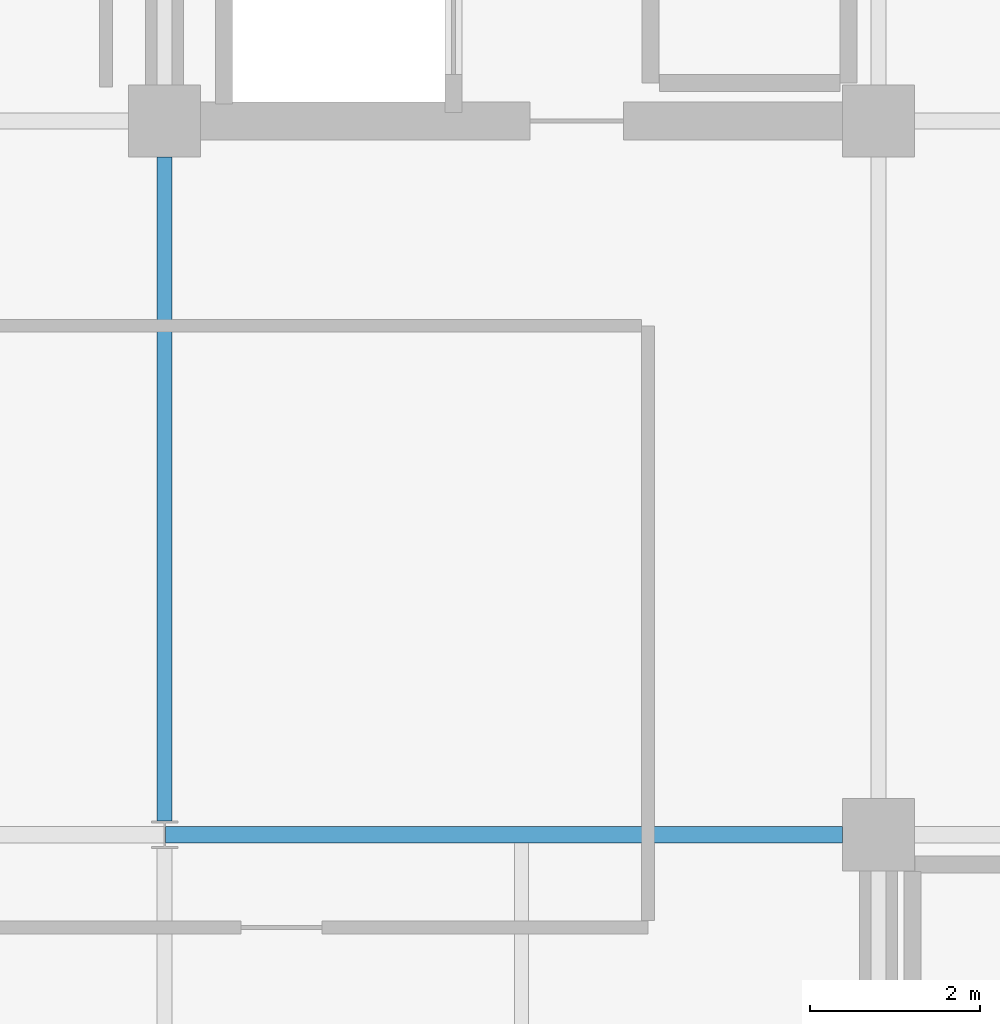
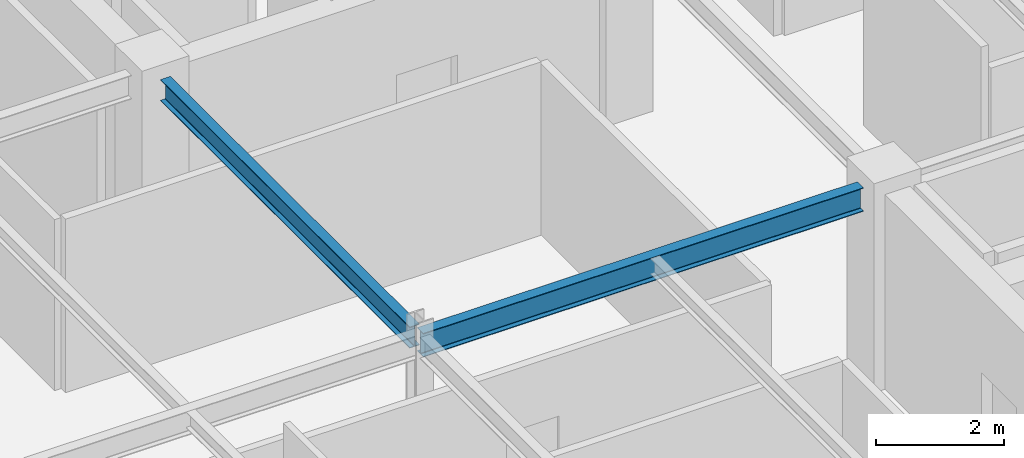
# One storey, part 10 of 26: 2 beams.
"""IFC4 building model written with IfcOpenShell, lengths in metres."""

import ifcopenshell
import ifcopenshell.guid

model = None  # the IFC model being written
_history = None  # IfcOwnerHistory: only IFC2X3 demands one
_inside = {}  # id of a spatial element -> (the spatial element, [elements in it])
_under = {}  # id of a project, library or spatial element -> (it, [spatial elements below it])
_declared = {}  # id of a project -> (the project, [libraries it declares])
_typed = {}  # id of a type object -> (the type object, [elements of that type])
_made_of = {}  # id of a material, layer set ... -> (it, [elements and type objects made of it])


def new_model(schema):
    """Start an empty IFC model of exactly this schema.

    Asked for "IFC4X3", IfcOpenShell would pick the latest addendum, in which some entities
    have other attributes; the version numbers below select the first issue.
    IFC2X3 requires an IfcOwnerHistory on every rooted entity: one is made here for all.
    """
    global model, _history
    if schema == "IFC4X3":
        model = ifcopenshell.file(schema_version=(4, 3, 0, 0))
    else:
        model = ifcopenshell.file(schema=schema)
    _inside.clear()
    _under.clear()
    _declared.clear()
    _typed.clear()
    _made_of.clear()
    _history = None
    if model.schema == "IFC2X3":
        org = make("IfcOrganization", Name="unknown")
        user = make(
            "IfcPersonAndOrganization",
            ThePerson=make("IfcPerson", FamilyName="unknown"),
            TheOrganization=org,
        )
        app = make(
            "IfcApplication",
            ApplicationDeveloper=org,
            Version="unknown",
            ApplicationFullName="unknown",
            ApplicationIdentifier="unknown",
        )
        _history = make(
            "IfcOwnerHistory",
            OwningUser=user,
            OwningApplication=app,
            ChangeAction="ADDED",
            CreationDate=0,
        )
    return model


def make(cls, **values):
    """One entity of the class cls with the attributes given. An attribute that is None is left unset."""
    return model.create_entity(
        cls, **{name: value for name, value in values.items() if value is not None}
    )


def rooted(cls, **values):
    """An entity with a GlobalId (a new one), such as an element, a storey or a relation."""
    return make(cls, GlobalId=ifcopenshell.guid.new(), OwnerHistory=_history, **values)


def si_unit(unit_type, name, prefix=None):
    """IfcSIUnit, for example si_unit("LENGTHUNIT", "METRE", prefix="MILLI")."""
    return make("IfcSIUnit", UnitType=unit_type, Prefix=prefix, Name=name)


def assignment(units):
    """IfcUnitAssignment: the units of a project."""
    return None if units is None else make("IfcUnitAssignment", Units=units)


def point(xyz):
    """IfcCartesianPoint."""
    return None if xyz is None else make("IfcCartesianPoint", Coordinates=xyz)


def direction(xyz):
    """IfcDirection."""
    return None if xyz is None else make("IfcDirection", DirectionRatios=xyz)


def frame(location, z_axis=None, x_axis=None):
    """IfcAxis2Placement3D, a coordinate frame: its origin and axes. An axis left out is left unset."""
    return make(
        "IfcAxis2Placement3D",
        Location=point(location),
        Axis=direction(z_axis),
        RefDirection=direction(x_axis),
    )


def frame_2d(location, x_axis=None):
    """IfcAxis2Placement2D, a coordinate frame in the plane: its origin and x axis."""
    return make(
        "IfcAxis2Placement2D", Location=point(location), RefDirection=direction(x_axis)
    )


def origin():
    """The frame at (0, 0, 0) with its axes left unset."""
    return frame((0.0, 0.0, 0.0))


def origin_2d():
    """The frame at (0, 0) in the plane with its x axis left unset."""
    return frame_2d((0.0, 0.0))


def place(relative_to, where):
    """IfcLocalPlacement: puts the frame where relative to a parent placement (None: the world)."""
    return make(
        "IfcLocalPlacement", PlacementRelTo=relative_to, RelativePlacement=where
    )


def context(
    kind, dimensions, precision=None, world=None, true_north=None, identifier=None
):
    """IfcGeometricRepresentationContext, for example the 3D "Model" context."""
    return make(
        "IfcGeometricRepresentationContext",
        ContextIdentifier=identifier,
        ContextType=kind,
        CoordinateSpaceDimension=dimensions,
        Precision=precision,
        WorldCoordinateSystem=world,
        TrueNorth=true_north,
    )


def subcontext(parent, identifier, kind, view, scale=None):
    """IfcGeometricRepresentationSubContext, for example "Body" below "Model"."""
    return make(
        "IfcGeometricRepresentationSubContext",
        ContextIdentifier=identifier,
        ContextType=kind,
        ParentContext=parent,
        TargetScale=scale,
        TargetView=view,
    )


def project(units=None, contexts=None):
    """IfcProject with its units and contexts."""
    return rooted(
        "IfcProject",
        Name="project",
        RepresentationContexts=contexts,
        UnitsInContext=assignment(units),
    )


def spatial(cls, under=None, at=None, **own):
    """A site, building, storey or space (cls), placed at a placement, below another one or the project."""
    s = rooted(cls, ObjectPlacement=at, **own)
    if under is not None:
        _under.setdefault(under.id(), (under, []))[1].append(s)
    return s


def profile(cls, at=None, kind="AREA", **sizes):
    """A parametric profile (cls). Its sizes go by their IFC names, for example OverallWidth=200.0."""
    return make(cls, ProfileType=kind, Position=at, **sizes)


def i_section(**sizes):
    """IfcIShapeProfileDef."""
    return profile("IfcIShapeProfileDef", **sizes)


def extrude(swept, where, along, depth):
    """IfcExtrudedAreaSolid: the profile swept, set in the frame where, extruded along a direction by depth."""
    return make(
        "IfcExtrudedAreaSolid",
        SweptArea=swept,
        Position=where,
        ExtrudedDirection=direction(along),
        Depth=depth,
    )


def shape(context_of_items, identifier, shape_type, items):
    """IfcShapeRepresentation: the items that make up one representation, for example the "Body"."""
    return make(
        "IfcShapeRepresentation",
        ContextOfItems=context_of_items,
        RepresentationIdentifier=identifier,
        RepresentationType=shape_type,
        Items=items,
    )


def material(Name=None, Category=None):
    """IfcMaterial."""
    return make("IfcMaterial", Name=Name, Category=Category)


def material_profile(
    of_material, cross_section, Name=None, Category=None, Priority=None
):
    """IfcMaterialProfile: a cross section and its material."""
    return make(
        "IfcMaterialProfile",
        Name=Name,
        Material=of_material,
        Profile=cross_section,
        Priority=Priority,
        Category=Category,
    )


def profile_set(profiles, Name=None, composite=None):
    """IfcMaterialProfileSet."""
    return make(
        "IfcMaterialProfileSet",
        Name=Name,
        MaterialProfiles=profiles,
        CompositeProfile=composite,
    )


def made_of(thing, what):
    """Note that an element or type object is made of a material, layer set ...; save() writes the relation."""
    if what is not None:
        _made_of.setdefault(what.id(), (what, []))[1].append(thing)
    return thing


def type_object(cls, material=None, **own):
    """A type object (cls), such as IfcWallType, which elements share."""
    return made_of(rooted(cls, **own), material)


def element(
    cls,
    number,
    at=None,
    inside=None,
    cuts=None,
    type_object=None,
    material=None,
    context=None,
    identifier="Body",
    shape_type=None,
    held_by="IfcProductDefinitionShape",
    body=None,
    shapes=None,
    **own,
):
    """One element of the class cls, such as IfcWall. Its Tag is "e" and its number.

    at: its placement. inside: the storey or other place that contains it. cuts: it is an
    opening in that element (IfcRelVoidsElement). A single representation is given by context,
    identifier, shape_type and body (its items); several are given by shapes. held_by: the class
    of the entity that holds the representations. save() writes the other relations.
    """
    e = rooted(cls, Tag="e%d" % number, ObjectPlacement=at, **own)
    if body is not None:
        shapes = [shape(context, identifier, shape_type, body)]
    if shapes is not None:
        e.Representation = make(held_by, Representations=shapes)
    if inside is not None:
        _inside.setdefault(inside.id(), (inside, []))[1].append(e)
    if cuts is not None:
        rooted(
            "IfcRelVoidsElement", RelatingBuildingElement=cuts, RelatedOpeningElement=e
        )
    if type_object is not None:
        _typed.setdefault(type_object.id(), (type_object, []))[1].append(e)
    return made_of(e, material)


def aggregate(whole, parts):
    """IfcRelAggregates: a whole, such as a stair, and the parts it consists of."""
    return rooted("IfcRelAggregates", RelatingObject=whole, RelatedObjects=parts)


def save(model, path):
    """Write the relations noted so far, then the file.

    IfcRelAggregates (storeys below a building ...), IfcRelContainedInSpatialStructure (elements
    in a storey), IfcRelDefinesByType, IfcRelAssociatesMaterial and IfcRelDeclares: one each for
    every whole, place, type object, material and project.
    """
    for whole, parts in _under.values():
        aggregate(whole, parts)
    for where, things in _inside.values():
        rooted(
            "IfcRelContainedInSpatialStructure",
            RelatedElements=things,
            RelatingStructure=where,
        )
    for kind, things in _typed.values():
        rooted("IfcRelDefinesByType", RelatedObjects=things, RelatingType=kind)
    for what, things in _made_of.values():
        rooted("IfcRelAssociatesMaterial", RelatedObjects=things, RelatingMaterial=what)
    for by, libraries in _declared.values():
        rooted("IfcRelDeclares", RelatingContext=by, RelatedDefinitions=libraries)
    model.write(path)


model = new_model("IFC4")

# Units and contexts
model_context = context("Model", 3, precision=1e-05, world=origin(), true_north=direction((0.0, 1.0)))
body_context = subcontext(model_context, "Body", "Model", "MODEL_VIEW")
ifc_project = project(units=[si_unit("LENGTHUNIT", "METRE"), si_unit("AREAUNIT", "SQUARE_METRE"), si_unit("VOLUMEUNIT", "CUBIC_METRE"), si_unit("PLANEANGLEUNIT", "RADIAN"), si_unit("MASSUNIT", "GRAM", prefix="KILO")], contexts=[model_context])

# Site, building, storey
site_placement = place(None, origin())
site = spatial("IfcSite", under=ifc_project, at=site_placement, CompositionType="ELEMENT")
building_placement = place(site_placement, origin())
building = spatial("IfcBuilding", under=site, at=building_placement, Name="Nerrivon Quay Data Exchange", CompositionType="ELEMENT")
storey_placement = place(building_placement, frame((0.0, 0.0, 262.199951171875)))
storey = spatial("IfcBuildingStorey", under=building, at=storey_placement, Name="L62", CompositionType="ELEMENT", Elevation=262.199951171875)

# Beams
ifc_material = material(Name="Steel Grade 350", Category="steel")
ifc_material_profile_1 = material_profile(ifc_material, i_section(OverallWidth=0.18994140625, OverallDepth=0.4541015625, WebThickness=0.008544921875, FlangeThickness=0.0126953125, FilletRadius=0.011474609375, at=origin_2d()), Name="460UB67.1")
ifc_profile_set_1 = profile_set([ifc_material_profile_1], Name="Steel Grade 350")
beam_type_1 = type_object("IfcBeamType", Name="BM-G6-460UB67", PredefinedType="BEAM", material=ifc_profile_set_1)
beam_1_placement = place(storey_placement, frame((8.40771484375, 16.800048828125, 3.498046875), z_axis=(1.0, 0.0, 0.0), x_axis=(0.0, 1.0, 0.0)))
element("IfcBeam", 1, at=beam_1_placement, inside=storey, type_object=beam_type_1, Name="L62 EW Girder Y=16.8 (8.4..16.8)", PredefinedType="BEAM", context=body_context, shape_type="SweptSolid", body=[
    extrude(i_section(OverallWidth=0.18994140625, OverallDepth=0.4541015625, WebThickness=0.008544921875, FlangeThickness=0.0126953125, FilletRadius=0.011474609375, at=origin_2d()), origin(), (0.0, 0.0, 1.0), 7.96728515625),
])
ifc_material_profile_2 = material_profile(ifc_material, i_section(OverallWidth=0.177978515625, OverallDepth=0.406005859375, WebThickness=0.0078125, FlangeThickness=0.0126953125, FilletRadius=0.011474609375, at=origin_2d()), Name="410UB59.7")
ifc_profile_set_2 = profile_set([ifc_material_profile_2], Name="Steel Grade 350")
beam_type_2 = type_object("IfcBeamType", Name="BM-J1-410UB60", PredefinedType="JOIST", material=ifc_profile_set_2)
beam_2_placement = place(storey_placement, frame((8.39990234375, 16.96337890625, 3.52197265625), z_axis=(0.0, 1.0, 0.0), x_axis=(-1.0, 0.0, 0.0)))
element("IfcBeam", 2, at=beam_2_placement, inside=storey, type_object=beam_type_2, Name="L62 NS Girder X=8.4 (16.8..25.2)", PredefinedType="JOIST", context=body_context, shape_type="SweptSolid", body=[
    extrude(i_section(OverallWidth=0.177978515625, OverallDepth=0.406005859375, WebThickness=0.0078125, FlangeThickness=0.0126953125, FilletRadius=0.011474609375, at=origin_2d()), origin(), (0.0, 0.0, 1.0), 7.8115234375),
])

save(model, "model.ifc")
